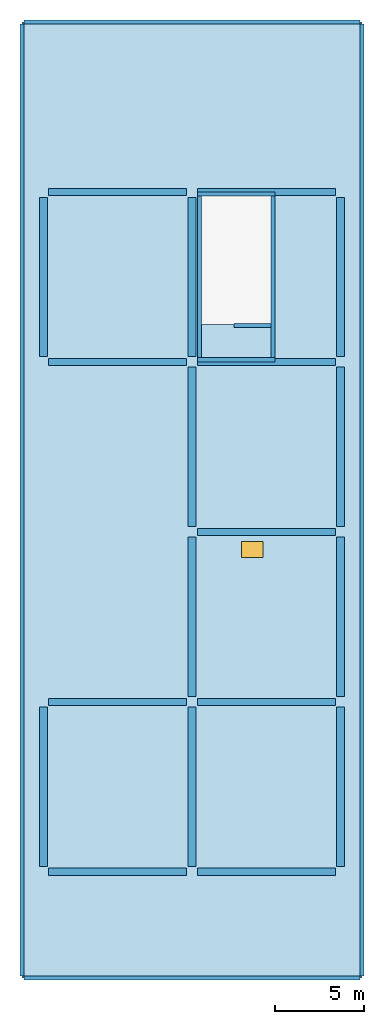
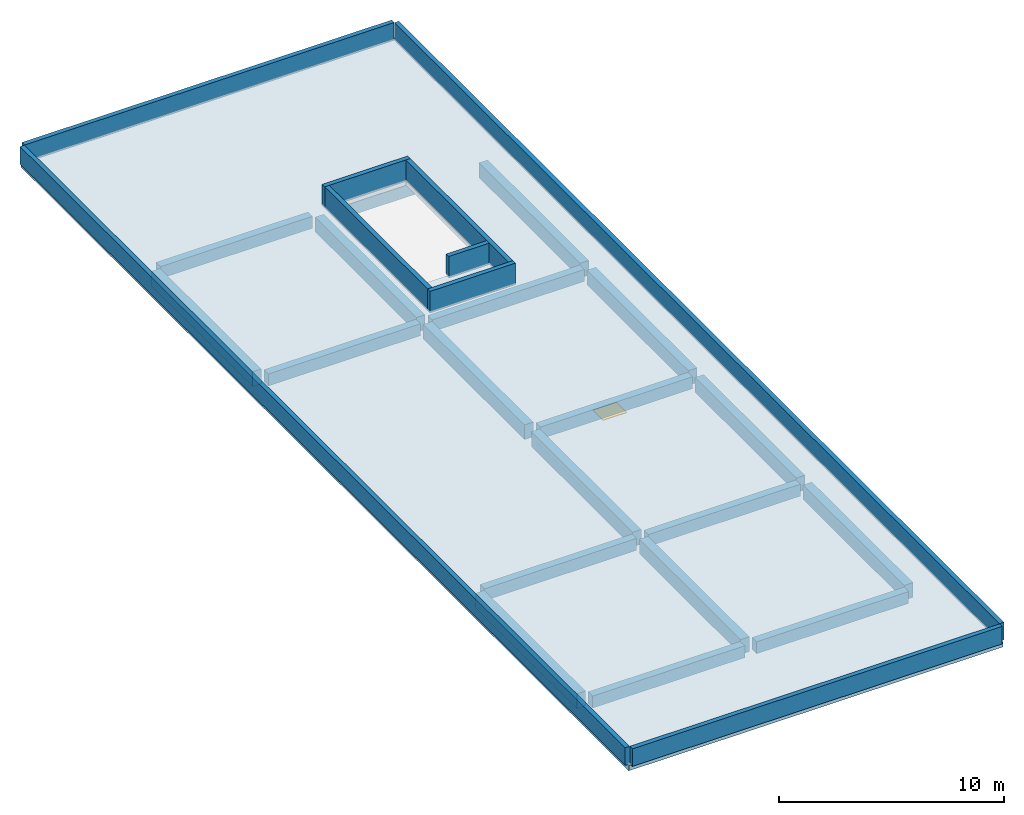
# One storey, part 1 of 2: 19 beams, 9 walls, 1 door, 1 slab, 1 opening.
"""IFC4 building model written with IfcOpenShell, lengths in metres."""

from ifc_helpers import new_model, si_unit, direction, frame, frame_2d, origin, origin_2d, place, context, subcontext, project, spatial, polyline, rectangle, outline, extrude, material, layer, layer_set, material_profile, profile_set, type_object, element, fill, save


model = new_model("IFC4")

# Units and contexts
model_context = context("Model", 3, precision=1e-05, world=origin(), true_north=direction((0.0, 1.0)))
body_context = subcontext(model_context, "Body", "Model", "MODEL_VIEW")
ifc_project = project(units=[si_unit("LENGTHUNIT", "METRE"), si_unit("AREAUNIT", "SQUARE_METRE"), si_unit("VOLUMEUNIT", "CUBIC_METRE"), si_unit("PLANEANGLEUNIT", "RADIAN"), si_unit("MASSUNIT", "GRAM", prefix="KILO")], contexts=[model_context])

# Site, building, storey
site_placement = place(None, origin())
site = spatial("IfcSite", under=ifc_project, at=site_placement, CompositionType="ELEMENT")
building_placement = place(site_placement, origin())
building = spatial("IfcBuilding", under=site, at=building_placement, Name="Shalvenor Court Art Gallery", CompositionType="ELEMENT")
storey_placement = place(building_placement, frame((0.0, 0.0, 32.39990234375)))
storey = spatial("IfcBuildingStorey", under=building, at=storey_placement, Name="RF Roof Level", CompositionType="ELEMENT", Elevation=32.39990234375)

# Beams
ifc_material_1 = material(Name="Concrete C40/50", Category="concrete")
ifc_material_profile_1 = material_profile(ifc_material_1, rectangle(XDim=0.449951171875, YDim=0.800048828125, at=origin_2d()), Name="RC 450x800")
ifc_profile_set_1 = profile_set([ifc_material_profile_1], Name="Concrete C40/50")
beam_type_1 = type_object("IfcBeamType", Name="B-03", PredefinedType="BEAM", material=ifc_profile_set_1)
for number, where, z_axis, x_axis, name in (
    (1, (159.60009765625, 50.699951171875, -0.659912109375), (0.0, 1.0, 0.0), (-1.0, 0.0, 0.0), "RF Roof Level Girder BM-RF-B-03-1334"),
    (2, (159.60009765625, 79.5, -0.659912109375), (0.0, 1.0, 0.0), (-1.0, 0.0, 0.0), "RF Roof Level Girder BM-RF-B-03-1335"),
    (3, (168.0, 50.699951171875, -0.659912109375), (0.0, 1.0, 0.0), (-1.0, 0.0, 0.0), "RF Roof Level Girder BM-RF-B-03-1336"),
    (4, (168.0, 60.300048828125, -0.659912109375), (0.0, 1.0, 0.0), (-1.0, 0.0, 0.0), "RF Roof Level Girder BM-RF-B-03-1337"),
    (5, (168.0, 69.89990234375, -0.659912109375), (0.0, 1.0, 0.0), (-1.0, 0.0, 0.0), "RF Roof Level Girder BM-RF-B-03-1338"),
    (6, (168.0, 79.5, -0.659912109375), (0.0, 1.0, 0.0), (-1.0, 0.0, 0.0), "RF Roof Level Girder BM-RF-B-03-1339"),
    (7, (176.39990234375, 50.699951171875, -0.659912109375), (0.0, 1.0, 0.0), (-1.0, 0.0, 0.0), "RF Roof Level Girder BM-RF-B-03-1340"),
    (8, (176.39990234375, 60.300048828125, -0.659912109375), (0.0, 1.0, 0.0), (-1.0, 0.0, 0.0), "RF Roof Level Girder BM-RF-B-03-1341"),
    (9, (176.39990234375, 69.89990234375, -0.659912109375), (0.0, 1.0, 0.0), (-1.0, 0.0, 0.0), "RF Roof Level Girder BM-RF-B-03-1342"),
    (10, (176.39990234375, 79.5, -0.659912109375), (0.0, 1.0, 0.0), (-1.0, 0.0, 0.0), "RF Roof Level Girder BM-RF-B-03-1343"),
):
    element("IfcBeam", number, at=place(storey_placement, frame(where, z_axis=z_axis, x_axis=x_axis)), inside=storey, type_object=beam_type_1, Name=name, PredefinedType="BEAM", context=body_context, shape_type="SweptSolid", body=[
        extrude(rectangle(XDim=0.449951171875, YDim=0.800048828125, at=origin_2d()), origin(), (0.0, 0.0, 1.0), 9.0),
    ])
ifc_material_2 = material(Name="Concrete C40/50", Category="concrete")
ifc_material_profile_2 = material_profile(ifc_material_2, rectangle(XDim=0.39990234375, YDim=0.64990234375, at=origin_2d()), Name="RC 400x650")
ifc_profile_set_2 = profile_set([ifc_material_profile_2], Name="Concrete C40/50")
beam_type_2 = type_object("IfcBeamType", Name="B-06", PredefinedType="BEAM", material=ifc_profile_set_2)
for number, where, z_axis, x_axis, name in (
    (11, (159.89990234375, 50.39990234375, -0.5849609375), (1.0, 0.0, 0.0), (0.0, 1.0, 0.0), "RF Roof Level Girder BM-RF-B-06-1344"),
    (12, (168.300048828125, 50.39990234375, -0.5849609375), (1.0, 0.0, 0.0), (0.0, 1.0, 0.0), "RF Roof Level Girder BM-RF-B-06-1345"),
    (13, (159.89990234375, 60.0, -0.5849609375), (1.0, 0.0, 0.0), (0.0, 1.0, 0.0), "RF Roof Level Girder BM-RF-B-06-1346"),
    (14, (168.300048828125, 60.0, -0.5849609375), (1.0, 0.0, 0.0), (0.0, 1.0, 0.0), "RF Roof Level Girder BM-RF-B-06-1347"),
    (15, (168.300048828125, 69.60009765625, -0.5849609375), (1.0, 0.0, 0.0), (0.0, 1.0, 0.0), "RF Roof Level Girder BM-RF-B-06-1348"),
    (16, (159.89990234375, 79.199951171875, -0.5849609375), (1.0, 0.0, 0.0), (0.0, 1.0, 0.0), "RF Roof Level Girder BM-RF-B-06-1349"),
    (17, (168.300048828125, 79.199951171875, -0.5849609375), (1.0, 0.0, 0.0), (0.0, 1.0, 0.0), "RF Roof Level Girder BM-RF-B-06-1350"),
    (18, (159.89990234375, 88.800048828125, -0.5849609375), (1.0, 0.0, 0.0), (0.0, 1.0, 0.0), "RF Roof Level Girder BM-RF-B-06-1351"),
    (19, (168.300048828125, 88.800048828125, -0.5849609375), (1.0, 0.0, 0.0), (0.0, 1.0, 0.0), "RF Roof Level Girder BM-RF-B-06-1352"),
):
    element("IfcBeam", number, at=place(storey_placement, frame(where, z_axis=z_axis, x_axis=x_axis)), inside=storey, type_object=beam_type_2, Name=name, PredefinedType="BEAM", context=body_context, shape_type="SweptSolid", body=[
        extrude(rectangle(XDim=0.39990234375, YDim=0.64990234375, at=origin_2d()), origin(), (0.0, 0.0, 1.0), 7.800048828125),
    ])

# Slab, opening, door
ifc_material_3 = material(Name="Concrete C40/50", Category="concrete")
ifc_layer_1 = layer(ifc_material_3, 0.27001953125, Name="Concrete C40/50")
ifc_layer_set_1 = layer_set([ifc_layer_1], Name="Concrete C40/50")
slab_type = type_object("IfcSlabType", Name="RF-270", PredefinedType="ROOF", material=ifc_layer_set_1)
slab_placement = place(storey_placement, frame((0.0, 0.0, -0.27001953125)))
slab = element("IfcSlab", 20, at=slab_placement, inside=storey, type_object=slab_type, Name="RF Roof Level V1 Flat Roof Slab", PredefinedType="ROOF", context=body_context, shape_type="SweptSolid", body=[
    extrude(outline(polyline([(158.39990234375, 44.39990234375), (158.39990234375, 98.39990234375), (177.60009765625, 98.39990234375), (177.60009765625, 44.39990234375), (158.39990234375, 44.39990234375)]), holes=[polyline([(172.5, 88.60009765625), (168.5, 88.60009765625), (168.5, 81.31103515625), (172.5, 81.31103515625), (172.5, 88.60009765625)])]), origin(), (0.0, 0.0, 1.0), 0.27001953125),
])
opening_placement = place(slab_placement, frame((171.39990234375, 68.60009765625, -0.010009765625), z_axis=(0.0, 0.0, 1.0), x_axis=(1.0, 0.0, 0.0)))
opening = element("IfcOpeningElement", 21, at=opening_placement, cuts=slab, Name="Opening RH-01", PredefinedType="OPENING", context=body_context, shape_type="SweptSolid", body=[
    extrude(rectangle(XDim=1.199951171875, YDim=0.89990234375, at=origin_2d()), origin(), (0.0, 0.0, 1.0), 0.2900390625),
])
ifc_material_4 = material(Name="Insulated aluminium roof access hatch", Category="aluminium")
door_type = type_object("IfcDoorType", Name="RH-01", OperationType="NOTDEFINED", PredefinedType="TRAPDOOR", material=ifc_material_4)
door_placement = place(slab_placement, frame((171.39990234375, 68.60009765625, 0.14990234375), z_axis=(0.0, 0.0, 1.0), x_axis=(1.0, 0.0, 0.0)))
door = element("IfcDoor", 22, at=door_placement, inside=storey, type_object=door_type, Name="HT-RF-01 RF Roof Level Roof Access Hatch", OperationType="SINGLE_SWING_LEFT", OverallHeight=0.1201171875, OverallWidth=1.199951171875, PredefinedType="TRAPDOOR", context=body_context, shape_type="SweptSolid", body=[
    extrude(rectangle(XDim=1.199951171875, YDim=0.89990234375, at=origin_2d()), origin(), (0.0, 0.0, 1.0), 0.1201171875),
])
fill(opening, door)

# Walls
ifc_material_5 = material(Name="Precast concrete C40/50", Category="concrete")
ifc_layer_2 = layer(ifc_material_5, 0.22998046875, Name="Precast concrete C40/50")
ifc_layer_set_2 = layer_set([ifc_layer_2], Name="Precast concrete C40/50")
wall_type_1 = type_object("IfcWallType", Name="PW-01", PredefinedType="PARAPET", material=ifc_layer_set_2)
wall_1_placement = place(storey_placement, frame((158.39990234375, 44.52001953125, 0.0), z_axis=(0.0, 0.0, 1.0), x_axis=(0.0, 1.0, 0.0)))
element("IfcWall", 23, at=wall_1_placement, inside=storey, type_object=wall_type_1, Name="PAR-0331 RF Roof Level Roof Parapet", PredefinedType="PARAPET", context=body_context, shape_type="SweptSolid", body=[
    extrude(rectangle(XDim=53.760009765625, YDim=0.22998046875, at=frame_2d((26.8798828125, 0.0))), origin(), (0.0, 0.0, 1.0), 0.9501953125),
])
wall_2_placement = place(storey_placement, frame((158.52001953125, 98.39990234375, 0.0), z_axis=(0.0, 0.0, 1.0), x_axis=(1.0, 0.0, 0.0)))
element("IfcWall", 24, at=wall_2_placement, inside=storey, type_object=wall_type_1, Name="PAR-0332 RF Roof Level Roof Parapet", PredefinedType="PARAPET", context=body_context, shape_type="SweptSolid", body=[
    extrude(rectangle(XDim=18.9599609375, YDim=0.22998046875, at=frame_2d((9.47998046875, 0.0))), origin(), (0.0, 0.0, 1.0), 0.9501953125),
])
wall_3_placement = place(storey_placement, frame((177.60009765625, 98.280029296875, 0.0), z_axis=(0.0, 0.0, 1.0), x_axis=(0.0, -1.0, 0.0)))
element("IfcWall", 25, at=wall_3_placement, inside=storey, type_object=wall_type_1, Name="PAR-0333 RF Roof Level Roof Parapet", PredefinedType="PARAPET", context=body_context, shape_type="SweptSolid", body=[
    extrude(rectangle(XDim=53.760009765625, YDim=0.22998046875, at=frame_2d((26.8798828125, 0.0))), origin(), (0.0, 0.0, 1.0), 0.9501953125),
])
wall_4_placement = place(storey_placement, frame((177.47998046875, 44.39990234375, 0.0), z_axis=(0.0, 0.0, 1.0), x_axis=(-1.0, 0.0, 0.0)))
element("IfcWall", 26, at=wall_4_placement, inside=storey, type_object=wall_type_1, Name="PAR-0334 RF Roof Level Roof Parapet", PredefinedType="PARAPET", context=body_context, shape_type="SweptSolid", body=[
    extrude(rectangle(XDim=18.9599609375, YDim=0.22998046875, at=frame_2d((9.47998046875, 0.0))), origin(), (0.0, 0.0, 1.0), 0.9501953125),
])
ifc_material_6 = material(Name="Precast concrete C40/50", Category="concrete")
ifc_layer_3 = layer(ifc_material_6, 0.2099609375, Name="Precast concrete C40/50")
ifc_layer_set_3 = layer_set([ifc_layer_3], Name="Precast concrete C40/50")
wall_type_2 = type_object("IfcWallType", Name="PW-03", PredefinedType="PARAPET", material=ifc_layer_set_3)
wall_5_placement = place(storey_placement, frame((168.30810546875, 88.677001953125, 0.0), z_axis=(0.0, 0.0, 1.0), x_axis=(1.0, 0.0, 0.0)))
element("IfcWall", 27, at=wall_5_placement, inside=storey, type_object=wall_type_2, Name="RF C1 Stair Well Parapet Curb N", PredefinedType="PARAPET", context=body_context, shape_type="SweptSolid", body=[
    extrude(rectangle(XDim=4.3837890625, YDim=0.22998046875, at=frame_2d((2.19189453125, 0.0))), origin(), (0.0, 0.0, 1.0), 1.150146484375),
])
for number, where, z_axis, x_axis, name in (
    (28, (172.576904296875, 88.56201171875, 0.0), (0.0, 0.0, 1.0), (0.0, -1.0, 0.0), "RF C1 Stair Well Parapet Curb E"),
    (29, (168.423095703125, 79.43798828125, 0.0), (0.0, 0.0, 1.0), (0.0, 1.0, 0.0), "RF C1 Stair Well Parapet Curb W"),
):
    element("IfcWall", number, at=place(storey_placement, frame(where, z_axis=z_axis, x_axis=x_axis)), inside=storey, type_object=wall_type_2, Name=name, PredefinedType="PARAPET", context=body_context, shape_type="SweptSolid", body=[
        extrude(rectangle(XDim=9.1240234375, YDim=0.22998046875, at=frame_2d((4.56201171875, 0.0))), origin(), (0.0, 0.0, 1.0), 1.150146484375),
    ])
wall_6_placement = place(storey_placement, frame((168.30810546875, 79.322998046875, 0.0), z_axis=(0.0, 0.0, 1.0), x_axis=(1.0, 0.0, 0.0)))
element("IfcWall", 30, at=wall_6_placement, inside=storey, type_object=wall_type_2, Name="RF C1 Stair Well Parapet Curb S", PredefinedType="PARAPET", context=body_context, shape_type="SweptSolid", body=[
    extrude(rectangle(XDim=4.3837890625, YDim=0.22998046875, at=frame_2d((2.19189453125, 0.0))), origin(), (0.0, 0.0, 1.0), 1.150146484375),
])
wall_7_placement = place(storey_placement, frame((170.3798828125, 81.25, 0.0), z_axis=(0.0, 0.0, 1.0), x_axis=(1.0, 0.0, 0.0)))
element("IfcWall", 31, at=wall_7_placement, inside=storey, type_object=wall_type_2, Name="RF C1 Stair Well Parapet Curb WELL", PredefinedType="PARAPET", context=body_context, shape_type="SweptSolid", body=[
    extrude(rectangle(XDim=2.070068359375, YDim=0.22998046875, at=frame_2d((1.03515625, 0.0))), origin(), (0.0, 0.0, 1.0), 1.150146484375),
])

save(model, "model.ifc")
